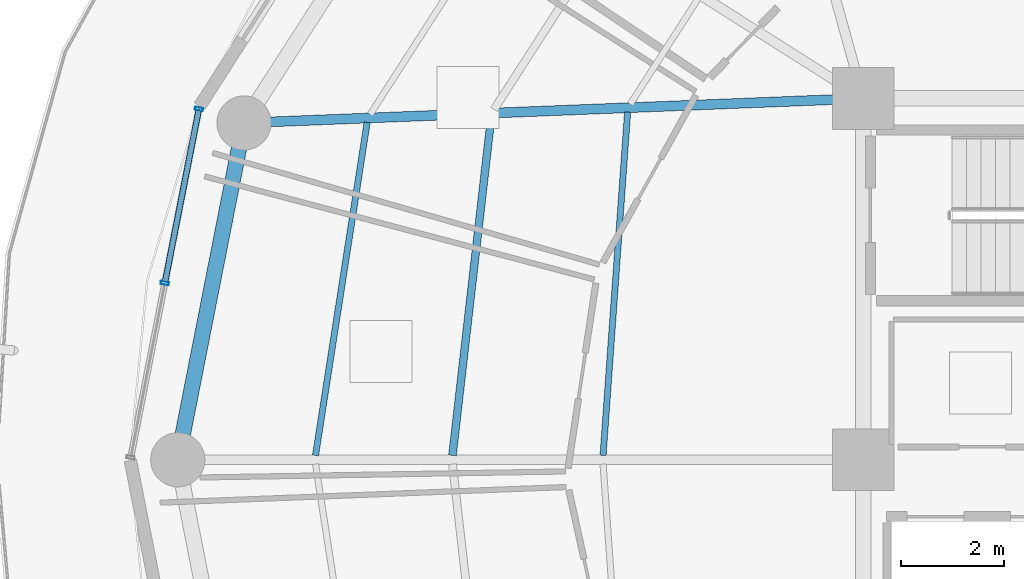
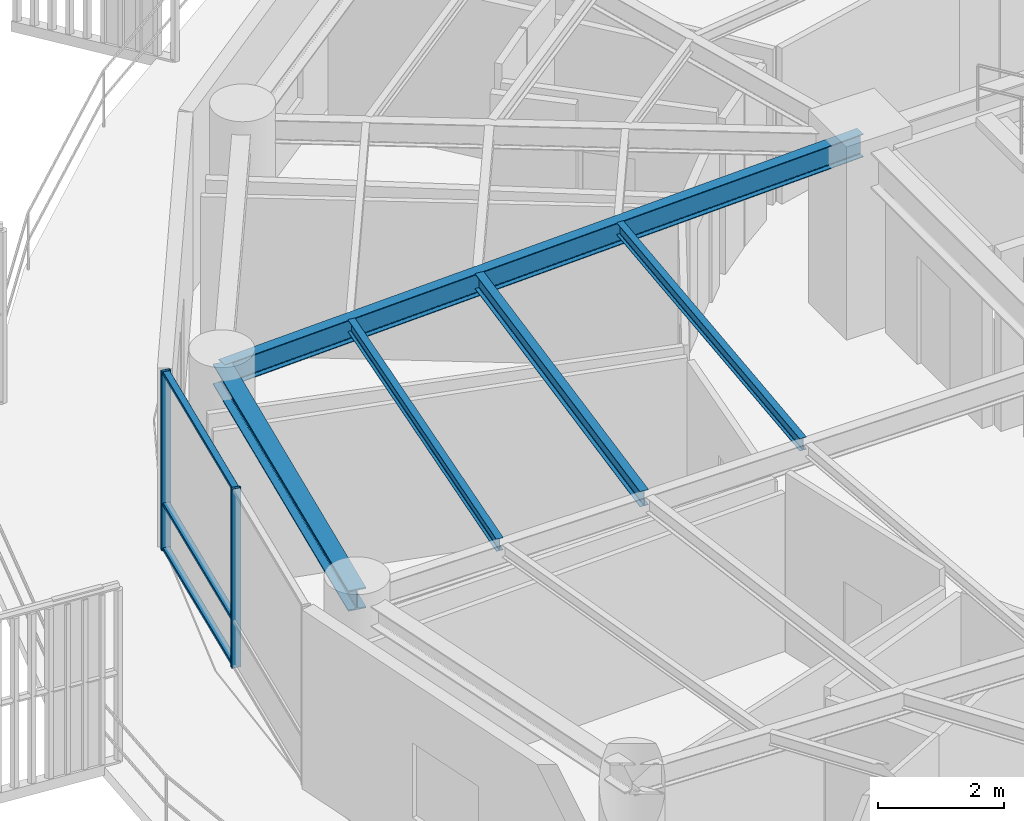
# One storey, part 8 of 30: 5 beams, 5 members, 1 element without a shape of its own.
"""IFC4 building model written with IfcOpenShell, lengths in metres."""

from ifc_helpers import new_model, si_unit, direction, frame, origin, origin_2d, place, context, subcontext, project, spatial, hollow_rectangle, i_section, extrude, material, layer, layer_set, material_profile, profile_set, type_object, element, aggregate, save


model = new_model("IFC4")

# Units and contexts
model_context = context("Model", 3, precision=1e-05, world=origin(), true_north=direction((0.0, 1.0)))
body_context = subcontext(model_context, "Body", "Model", "MODEL_VIEW")
ifc_project = project(units=[si_unit("LENGTHUNIT", "METRE"), si_unit("AREAUNIT", "SQUARE_METRE"), si_unit("VOLUMEUNIT", "CUBIC_METRE"), si_unit("PLANEANGLEUNIT", "RADIAN"), si_unit("MASSUNIT", "GRAM", prefix="KILO")], contexts=[model_context])

# Site, building, storey
site_placement = place(None, origin())
site = spatial("IfcSite", under=ifc_project, at=site_placement, CompositionType="ELEMENT")
building_placement = place(site_placement, origin())
building = spatial("IfcBuilding", under=site, at=building_placement, Name="Kelanora Arch Commons", CompositionType="ELEMENT")
storey_placement = place(building_placement, frame((0.0, 0.0, 215.699951171875)))
storey = spatial("IfcBuildingStorey", under=building, at=storey_placement, Name="L55", CompositionType="ELEMENT", Elevation=215.699951171875)

# Beams
ifc_material_1 = material(Name="Steel S355", Category="steel")
ifc_material_profile_1 = material_profile(ifc_material_1, i_section(OverallWidth=0.14990234375, OverallDepth=0.300048828125, WebThickness=0.007080078125, FlangeThickness=0.0107421875, FilletRadius=0.014892578125, at=origin_2d()), Name="IPE300")
ifc_profile_set_1 = profile_set([ifc_material_profile_1], Name="Steel S355")
beam_type_1 = type_object("IfcBeamType", Name="BM-JST-01", PredefinedType="JOIST", material=ifc_profile_set_1)
beam_1_placement = place(storey_placement, frame((58.792236328125, 64.631103515625, 3.340087890625), z_axis=(-0.113891408177, -0.993493204377, 0.0), x_axis=(0.993493204377, -0.113891408177, 0.0)))
element("IfcBeam", 1, at=beam_1_placement, inside=storey, type_object=beam_type_1, Name="Secondary Chord Joist BJB-16 L55", PredefinedType="JOIST", context=body_context, shape_type="SweptSolid", body=[
    extrude(i_section(OverallWidth=0.14990234375, OverallDepth=0.300048828125, WebThickness=0.007080078125, FlangeThickness=0.0107421875, FilletRadius=0.014892578125, at=origin_2d()), origin(), (0.0, 0.0, 1.0), 6.589599609375),
])
ifc_material_profile_2 = material_profile(ifc_material_1, i_section(OverallWidth=0.1201171875, OverallDepth=0.239990234375, WebThickness=0.006103515625, FlangeThickness=0.009765625, FilletRadius=0.014892578125, at=origin_2d()), Name="IPE240")
ifc_profile_set_2 = profile_set([ifc_material_profile_2], Name="Steel S355")
beam_type_2 = type_object("IfcBeamType", Name="BM-JST-02", PredefinedType="JOIST", material=ifc_profile_set_2)
beam_2_placement = place(storey_placement, frame((61.435302734375, 64.735107421875, 3.3701171875), z_axis=(-0.07133032136, -0.997452748382, 0.0), x_axis=(0.997452748382, -0.07133032136, 0.0)))
element("IfcBeam", 2, at=beam_2_placement, inside=storey, type_object=beam_type_2, Name="Secondary Chord Joist BJA-16 L55", PredefinedType="JOIST", context=body_context, shape_type="SweptSolid", body=[
    extrude(i_section(OverallWidth=0.1201171875, OverallDepth=0.239990234375, WebThickness=0.006103515625, FlangeThickness=0.009765625, FilletRadius=0.014892578125, at=origin_2d()), origin(), (0.0, 0.0, 1.0), 6.66748046875),
])
beam_3_placement = place(storey_placement, frame((56.3896484375, 64.53662109375, 3.3701171875), z_axis=(-0.153256756152, -0.988186402808, 0.0), x_axis=(0.988186402808, -0.153256756152, 0.0)))
element("IfcBeam", 3, at=beam_3_placement, inside=storey, type_object=beam_type_2, Name="Secondary Chord Joist BJC-16 L55", PredefinedType="JOIST", context=body_context, shape_type="SweptSolid", body=[
    extrude(i_section(OverallWidth=0.1201171875, OverallDepth=0.239990234375, WebThickness=0.006103515625, FlangeThickness=0.009765625, FilletRadius=0.014892578125, at=origin_2d()), origin(), (0.0, 0.0, 1.0), 6.52978515625),
])
ifc_material_profile_3 = material_profile(ifc_material_1, i_section(OverallWidth=0.18994140625, OverallDepth=0.449951171875, WebThickness=0.009521484375, FlangeThickness=0.0146484375, FilletRadius=0.02099609375, at=origin_2d()), Name="IPE450")
ifc_profile_set_3 = profile_set([ifc_material_profile_3], Name="Steel S355")
beam_type_3 = type_object("IfcBeamType", Name="BM-RAD-Z4", PredefinedType="BEAM", material=ifc_profile_set_3)
beam_4_placement = place(storey_placement, frame((66.0, 65.0, 3.26513671875), z_axis=(-0.999219142585, -0.03951082246, 0.0), x_axis=(0.03951082246, -0.999219142585, 0.0)))
element("IfcBeam", 4, at=beam_4_placement, inside=storey, type_object=beam_type_3, Name="Radial Floor Girder BR-16 L55", PredefinedType="BEAM", context=body_context, shape_type="SweptSolid", body=[
    extrude(i_section(OverallWidth=0.18994140625, OverallDepth=0.449951171875, WebThickness=0.009521484375, FlangeThickness=0.0146484375, FilletRadius=0.02099609375, at=origin_2d()), origin(), (0.0, 0.0, 1.0), 12.005859375),
])
ifc_material_profile_4 = material_profile(ifc_material_1, i_section(OverallWidth=0.300048828125, OverallDepth=0.39990234375, WebThickness=0.013427734375, FlangeThickness=0.02392578125, FilletRadius=0.027099609375, at=origin_2d()), Name="HEB400")
ifc_profile_set_4 = profile_set([ifc_material_profile_4], Name="Steel S355")
beam_type_4 = type_object("IfcBeamType", Name="BM-SPN-Z4", PredefinedType="SPANDREL", material=ifc_profile_set_4)
beam_5_placement = place(storey_placement, frame((54.00341796875, 64.525634765625, 3.2900390625), z_axis=(-0.192980724826, -0.981202547819, 0.0), x_axis=(0.981202547819, -0.192980724826, 0.0)))
element("IfcBeam", 5, at=beam_5_placement, inside=storey, type_object=beam_type_4, Name="Perimeter Spandrel Beam BS-16 L55", PredefinedType="SPANDREL", context=body_context, shape_type="SweptSolid", body=[
    extrude(i_section(OverallWidth=0.300048828125, OverallDepth=0.39990234375, WebThickness=0.013427734375, FlangeThickness=0.02392578125, FilletRadius=0.027099609375, at=origin_2d()), origin(), (0.0, 0.0, 1.0), 6.650634765625),
])

# Curtain wall, members
ifc_material_2 = material(Name="Terracotta ceramic-fritted low-E glass and aluminium", Category="masonry")
ifc_layer = layer(ifc_material_2, 0.175048828125)
ifc_layer_set = layer_set([ifc_layer], Name="Terracotta ceramic-fritted low-E glass and aluminium")
curtain_wall_type = type_object("IfcCurtainWallType", Name="CW-SYS-02", PredefinedType="NOTDEFINED", material=ifc_layer_set)
curtain_wall_placement = place(storey_placement, origin())
curtain_wall = element("IfcCurtainWall", 6, at=curtain_wall_placement, inside=storey, type_object=curtain_wall_type, Name="Unitised Curtain Wall L55-B08", PredefinedType="NOTDEFINED")
ifc_material_3 = material(Name="Powder-coated aluminium terracotta", Category="masonry")
ifc_material_profile_5 = material_profile(ifc_material_3, hollow_rectangle(XDim=0.159912109375, YDim=0.06005859375, WallThickness=0.0048828125, InnerFilletRadius=0.0048828125, OuterFilletRadius=0.010009765625, at=origin_2d()), Name="CWM160x60")
ifc_profile_set_5 = profile_set([ifc_material_profile_5], Name="Powder-coated aluminium terracotta")
member_type_1 = type_object("IfcMemberType", Name="CWM-STD", PredefinedType="MULLION", material=ifc_profile_set_5)
member_1_placement = place(storey_placement, frame((53.130126953125, 64.796142578125, 0.0), z_axis=(0.0, 0.0, 1.0), x_axis=(0.981381438349, -0.192068926335, 0.0)))
member_1 = element("IfcMember", 7, at=member_1_placement, type_object=member_type_1, Name="CW-02 mullion 1", PredefinedType="MULLION", context=body_context, shape_type="SweptSolid", body=[
    extrude(hollow_rectangle(XDim=0.159912109375, YDim=0.06005859375, WallThickness=0.0048828125, InnerFilletRadius=0.0048828125, OuterFilletRadius=0.010009765625, at=origin_2d()), origin(), (0.0, 0.0, 1.0), 3.47509765625),
])
member_2_placement = place(storey_placement, frame((52.469482421875, 61.420166015625, 0.0), z_axis=(0.0, 0.0, 1.0), x_axis=(0.981381438349, -0.192068926335, 0.0)))
member_2 = element("IfcMember", 8, at=member_2_placement, type_object=member_type_1, Name="CW-02 mullion 2", PredefinedType="MULLION", context=body_context, shape_type="SweptSolid", body=[
    extrude(hollow_rectangle(XDim=0.159912109375, YDim=0.06005859375, WallThickness=0.0048828125, InnerFilletRadius=0.0048828125, OuterFilletRadius=0.010009765625, at=origin_2d()), origin(), (0.0, 0.0, 1.0), 3.47509765625),
])
ifc_material_profile_6 = material_profile(ifc_material_3, hollow_rectangle(XDim=0.1201171875, YDim=0.06005859375, WallThickness=0.0048828125, InnerFilletRadius=0.0048828125, OuterFilletRadius=0.010009765625, at=origin_2d()), Name="CWT120x60")
ifc_profile_set_6 = profile_set([ifc_material_profile_6], Name="Powder-coated aluminium terracotta")
member_type_2 = type_object("IfcMemberType", Name="CWT-STD", PredefinedType="USERDEFINED", material=ifc_profile_set_6)
member_3_placement = place(storey_placement, frame((53.124267578125, 64.766845703125, 0.030029296875), z_axis=(-0.192058488005, -0.981383481207, 0.0), x_axis=(0.981383481207, -0.192058488005, 0.0)))
member_3 = element("IfcMember", 9, at=member_3_placement, type_object=member_type_2, Name="CW-02 transom 1.1", ObjectType="TRANSOM", PredefinedType="USERDEFINED", context=body_context, shape_type="SweptSolid", body=[
    extrude(hollow_rectangle(XDim=0.1201171875, YDim=0.06005859375, WallThickness=0.0048828125, InnerFilletRadius=0.0048828125, OuterFilletRadius=0.010009765625, at=origin_2d()), origin(), (0.0, 0.0, 1.0), 3.380126953125),
])
member_4_placement = place(storey_placement, frame((53.124267578125, 64.766845703125, 0.900146484375), z_axis=(-0.192058488005, -0.981383481207, 0.0), x_axis=(0.981383481207, -0.192058488005, 0.0)))
member_4 = element("IfcMember", 10, at=member_4_placement, type_object=member_type_2, Name="CW-02 transom 1.2", ObjectType="TRANSOM", PredefinedType="USERDEFINED", context=body_context, shape_type="SweptSolid", body=[
    extrude(hollow_rectangle(XDim=0.1201171875, YDim=0.06005859375, WallThickness=0.0048828125, InnerFilletRadius=0.0048828125, OuterFilletRadius=0.010009765625, at=origin_2d()), origin(), (0.0, 0.0, 1.0), 3.380126953125),
])
member_5_placement = place(storey_placement, frame((53.124267578125, 64.766845703125, 3.445068359375), z_axis=(-0.192058488005, -0.981383481207, 0.0), x_axis=(0.981383481207, -0.192058488005, 0.0)))
member_5 = element("IfcMember", 11, at=member_5_placement, type_object=member_type_2, Name="CW-02 transom 1.3", ObjectType="TRANSOM", PredefinedType="USERDEFINED", context=body_context, shape_type="SweptSolid", body=[
    extrude(hollow_rectangle(XDim=0.1201171875, YDim=0.06005859375, WallThickness=0.0048828125, InnerFilletRadius=0.0048828125, OuterFilletRadius=0.010009765625, at=origin_2d()), origin(), (0.0, 0.0, 1.0), 3.380126953125),
])
aggregate(curtain_wall, [member_1, member_2, member_3, member_4, member_5])

save(model, "model.ifc")
